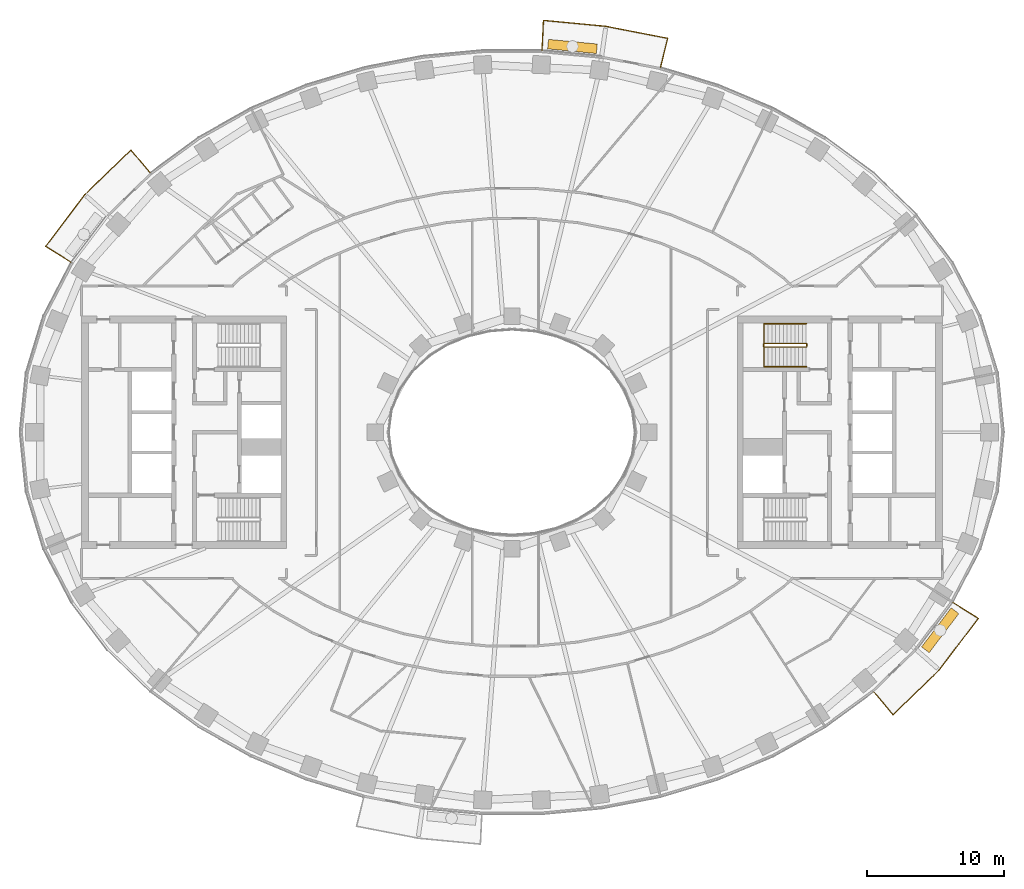
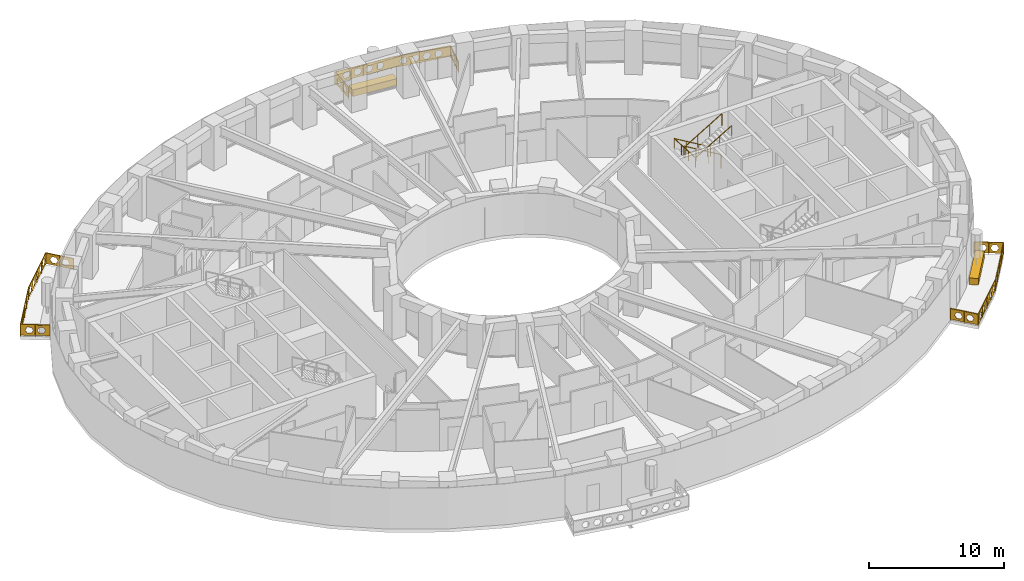
# One storey, part 16 of 17: 5 railings, 2 coverings.
"""IFC4 building model written with IfcOpenShell, lengths in metres."""

from ifc_helpers import new_model, si_unit, direction, frame, origin, origin_2d, place, context, subcontext, project, spatial, polyline, rectangle, outline, extrude, material, type_object, element, save


model = new_model("IFC4")

# Units and contexts
model_context = context("Model", 3, precision=1e-05, world=origin(), true_north=direction((0.0, 1.0)))
body_context = subcontext(model_context, "Body", "Model", "MODEL_VIEW")
ifc_project = project(units=[si_unit("LENGTHUNIT", "METRE"), si_unit("AREAUNIT", "SQUARE_METRE"), si_unit("VOLUMEUNIT", "CUBIC_METRE"), si_unit("PLANEANGLEUNIT", "RADIAN"), si_unit("MASSUNIT", "GRAM", prefix="KILO")], contexts=[model_context])

# Site, building, storey
site_placement = place(None, origin())
site = spatial("IfcSite", under=ifc_project, at=site_placement, CompositionType="ELEMENT")
building_placement = place(site_placement, origin())
building = spatial("IfcBuilding", under=site, at=building_placement, Name="Noorbagh Ring Tower", CompositionType="ELEMENT")
storey_placement = place(building_placement, frame((0.0, 0.0, 112.0)))
storey = spatial("IfcBuildingStorey", under=building, at=storey_placement, Name="L25", CompositionType="ELEMENT", Elevation=112.0)

# Railings
ifc_material_1 = material(Name="Stainless steel", Category="steel")
railing_type_1 = type_object("IfcRailingType", Name="CORE-STAIR-GUARD", PredefinedType="GUARDRAIL", material=ifc_material_1)
railing_1_placement = place(storey_placement, frame((21.580078125, 6.449951171875, 0.0)))
element("IfcRailing", 1, at=railing_1_placement, inside=storey, type_object=railing_type_1, Name="L25 ST3 stair guard", PredefinedType="GUARDRAIL", context=body_context, shape_type="SweptSolid", body=[
    extrude(rectangle(XDim=0.048095703125, YDim=0.048095703125, at=origin_2d()), frame((0.0, 0.0, 1.076171875), z_axis=(0.0, -1.0, 0.0), x_axis=(1.0, 0.0, 0.0)), (0.0, 0.0, 1.0), 0.14990234375),
    extrude(rectangle(XDim=0.048095703125, YDim=0.048095703125, at=origin_2d()), frame((0.0, -0.14990234375, 1.076171875), z_axis=(-0.188775798145, 0.754182335027, 0.628945707965), x_axis=(-0.970072785993, -0.242814311512, 0.0)), (0.0, 0.0, 1.0), 0.26513671875),
    extrude(rectangle(XDim=0.048095703125, YDim=0.048095703125, at=origin_2d()), frame((-0.050048828125, 0.050048828125, 1.24267578125), z_axis=(-0.859308565015, 0.0, 0.511457515432), x_axis=(0.0, -1.0, 0.0)), (0.0, 0.0, 1.0), 3.58447265625),
    extrude(rectangle(XDim=0.048095703125, YDim=0.048095703125, at=origin_2d()), frame((-3.130126953125, 0.050048828125, 3.076171875), z_axis=(-0.707106781187, -0.707106781187, 0.0), x_axis=(0.707106781187, -0.707106781187, 0.0)), (0.0, 0.0, 1.0), 0.07080078125),
    extrude(rectangle(XDim=0.048095703125, YDim=0.048095703125, at=origin_2d()), frame((-3.18017578125, 0.0, 3.076171875), z_axis=(0.0, -1.0, 0.0), x_axis=(1.0, 0.0, 0.0)), (0.0, 0.0, 1.0), 0.14990234375),
    extrude(rectangle(XDim=0.048095703125, YDim=0.048095703125, at=origin_2d()), frame((-3.18017578125, -0.14990234375, 3.076171875), z_axis=(0.27628659633, -0.27628659633, 0.920506074601), x_axis=(0.707106781187, 0.707106781187, 0.0)), (0.0, 0.0, 1.0), 0.18115234375),
    extrude(rectangle(XDim=0.048095703125, YDim=0.048095703125, at=origin_2d()), frame((-3.130126953125, -0.199951171875, 3.24267578125), z_axis=(0.859308565015, 0.0, 0.511457515432), x_axis=(0.0, 1.0, 0.0)), (0.0, 0.0, 1.0), 3.58447265625),
    extrude(rectangle(XDim=0.0419921875, YDim=0.0419921875, at=origin_2d()), origin(), (0.0, 0.0, 1.0), 1.052001953125),
    extrude(rectangle(XDim=0.0419921875, YDim=0.0419921875, at=origin_2d()), frame((-1.07666015625, 0.050048828125, 0.77783203125)), (0.0, 0.0, 1.0), 1.052001953125),
    extrude(rectangle(XDim=0.0419921875, YDim=0.0419921875, at=origin_2d()), frame((-2.103515625, 0.050048828125, 1.388916015625)), (0.0, 0.0, 1.0), 1.052001953125),
    extrude(rectangle(XDim=0.0419921875, YDim=0.0419921875, at=origin_2d()), frame((-3.130126953125, 0.050048828125, 2.0)), (0.0, 0.0, 1.0), 1.052001953125),
    extrude(rectangle(XDim=0.0419921875, YDim=0.0419921875, at=origin_2d()), frame((-3.130126953125, -0.199951171875, 2.166748046875)), (0.0, 0.0, 1.0), 1.052001953125),
    extrude(rectangle(XDim=0.0419921875, YDim=0.0419921875, at=origin_2d()), frame((-2.103515625, -0.199951171875, 2.77783203125)), (0.0, 0.0, 1.0), 1.052001953125),
    extrude(rectangle(XDim=0.0419921875, YDim=0.0419921875, at=origin_2d()), frame((-1.07666015625, -0.199951171875, 3.388916015625)), (0.0, 0.0, 1.0), 1.052001953125),
    extrude(rectangle(XDim=0.0419921875, YDim=0.0419921875, at=origin_2d()), frame((-0.050048828125, -0.199951171875, 4.0)), (0.0, 0.0, 1.0), 1.052001953125),
])
ifc_material_2 = material(Name="Stainless steel", Category="steel")
railing_type_2 = type_object("IfcRailingType", Name="CORE-STAIR-HANDRAIL", PredefinedType="HANDRAIL", material=ifc_material_2)
railing_2_placement = place(storey_placement, frame((21.530029296875, 7.949951171875, 0.166748046875)))
element("IfcRailing", 2, at=railing_2_placement, inside=storey, type_object=railing_type_2, Name="L25 ST3 stair handrail", PredefinedType="HANDRAIL", context=body_context, shape_type="SweptSolid", body=[
    extrude(rectangle(XDim=0.048095703125, YDim=0.048095703125, at=origin_2d()), frame((0.0, 0.0, 0.8759765625), z_axis=(-0.859308565015, 0.0, 0.511457515432), x_axis=(0.0, -1.0, 0.0)), (0.0, 0.0, 1.0), 3.58447265625),
    extrude(rectangle(XDim=0.048095703125, YDim=0.048095703125, at=origin_2d()), frame((-3.080078125, 0.0, 2.708984375), z_axis=(0.0, -0.998601747152, 0.052863509014), x_axis=(1.0, 0.0, 0.0)), (0.0, 0.0, 1.0), 3.154296875),
    extrude(rectangle(XDim=0.048095703125, YDim=0.048095703125, at=origin_2d()), frame((-3.080078125, -3.14990234375, 2.8759765625), z_axis=(0.859308565015, 0.0, 0.511457515432), x_axis=(0.0, 1.0, 0.0)), (0.0, 0.0, 1.0), 3.58447265625),
    extrude(rectangle(XDim=0.0419921875, YDim=0.0419921875, at=origin_2d()), origin(), (0.0, 0.0, 1.0), 0.851806640625),
    extrude(rectangle(XDim=0.0419921875, YDim=0.0419921875, at=origin_2d()), frame((-1.026611328125, 0.0, 0.611083984375)), (0.0, 0.0, 1.0), 0.851806640625),
    extrude(rectangle(XDim=0.0419921875, YDim=0.0419921875, at=origin_2d()), frame((-2.053466796875, 0.0, 1.22216796875)), (0.0, 0.0, 1.0), 0.851806640625),
    extrude(rectangle(XDim=0.0419921875, YDim=0.0419921875, at=origin_2d()), frame((-3.080078125, 0.0, 1.833251953125)), (0.0, 0.0, 1.0), 0.851806640625),
    extrude(rectangle(XDim=0.0419921875, YDim=0.0419921875, at=origin_2d()), frame((-3.080078125, -1.050048828125, 1.888916015625)), (0.0, 0.0, 1.0), 0.851806640625),
    extrude(rectangle(XDim=0.0419921875, YDim=0.0419921875, at=origin_2d()), frame((-3.080078125, -2.099853515625, 1.9443359375)), (0.0, 0.0, 1.0), 0.851806640625),
    extrude(rectangle(XDim=0.0419921875, YDim=0.0419921875, at=origin_2d()), frame((-3.080078125, -3.14990234375, 2.0)), (0.0, 0.0, 1.0), 0.851806640625),
    extrude(rectangle(XDim=0.0419921875, YDim=0.0419921875, at=origin_2d()), frame((-2.053466796875, -3.14990234375, 2.611083984375)), (0.0, 0.0, 1.0), 0.851806640625),
    extrude(rectangle(XDim=0.0419921875, YDim=0.0419921875, at=origin_2d()), frame((-1.026611328125, -3.14990234375, 3.22216796875)), (0.0, 0.0, 1.0), 0.851806640625),
    extrude(rectangle(XDim=0.0419921875, YDim=0.0419921875, at=origin_2d()), frame((0.0, -3.14990234375, 3.833251953125)), (0.0, 0.0, 1.0), 0.851806640625),
])
ifc_material_3 = material(Name="Steel S275 black powder-coated", Category="steel")
railing_type_3 = type_object("IfcRailingType", Name="ENV-GUARD", PredefinedType="GUARDRAIL", material=ifc_material_3)
railing_3_placement = place(storey_placement, frame((10.865234375, 26.6943359375, 0.0)))
element("IfcRailing", 3, at=railing_3_placement, inside=storey, type_object=railing_type_3, Name="Balcony guard BN03", PredefinedType="GUARDRAIL", context=body_context, shape_type="SweptSolid", body=[
    extrude(rectangle(XDim=0.048095703125, YDim=0.048095703125, at=origin_2d()), frame((0.0, 0.0, 1.076171875), z_axis=(0.239848558412, 0.970810315679, 0.0), x_axis=(-0.970810315679, 0.239848558412, 0.0)), (0.0, 0.0, 1.0), 2.20263671875),
    extrude(rectangle(XDim=0.048095703125, YDim=0.048095703125, at=origin_2d()), frame((0.5283203125, 2.138427734375, 1.076171875), z_axis=(-0.981625049064, 0.1908199755, 0.0), x_axis=(-0.1908199755, -0.981625049064, 0.0)), (0.0, 0.0, 1.0), 4.603271484375),
    extrude(rectangle(XDim=0.048095703125, YDim=0.048095703125, at=origin_2d()), frame((-3.990478515625, 3.016845703125, 1.076171875), z_axis=(-0.995477555764, 0.094997031379, 0.0), x_axis=(-0.094997031379, -0.995477555764, 0.0)), (0.0, 0.0, 1.0), 4.59765625),
    extrude(rectangle(XDim=0.048095703125, YDim=0.048095703125, at=origin_2d()), frame((-8.5673828125, 3.45361328125, 1.076171875), z_axis=(-0.047554616162, -0.998868639252, 0.0), x_axis=(0.998868639252, -0.047554616162, 0.0)), (0.0, 0.0, 1.0), 2.202392578125),
    extrude(rectangle(XDim=0.0419921875, YDim=0.0419921875, at=origin_2d()), origin(), (0.0, 0.0, 1.0), 1.052001953125),
    extrude(rectangle(XDim=0.0419921875, YDim=0.0419921875, at=origin_2d()), frame((0.26416015625, 1.0693359375, 0.0)), (0.0, 0.0, 1.0), 1.052001953125),
    extrude(rectangle(XDim=0.0419921875, YDim=0.0419921875, at=origin_2d()), frame((0.5283203125, 2.138427734375, 0.0)), (0.0, 0.0, 1.0), 1.052001953125),
    extrude(rectangle(XDim=0.0419921875, YDim=0.0419921875, at=origin_2d()), frame((-0.601318359375, 2.35791015625, 0.0)), (0.0, 0.0, 1.0), 1.052001953125),
    extrude(rectangle(XDim=0.0419921875, YDim=0.0419921875, at=origin_2d()), frame((-1.73095703125, 2.57763671875, 0.0)), (0.0, 0.0, 1.0), 1.052001953125),
    extrude(rectangle(XDim=0.0419921875, YDim=0.0419921875, at=origin_2d()), frame((-2.86083984375, 2.79736328125, 0.0)), (0.0, 0.0, 1.0), 1.052001953125),
    extrude(rectangle(XDim=0.0419921875, YDim=0.0419921875, at=origin_2d()), frame((-3.990478515625, 3.016845703125, 0.0)), (0.0, 0.0, 1.0), 1.052001953125),
    extrude(rectangle(XDim=0.0419921875, YDim=0.0419921875, at=origin_2d()), frame((-5.134765625, 3.1259765625, 0.0)), (0.0, 0.0, 1.0), 1.052001953125),
    extrude(rectangle(XDim=0.0419921875, YDim=0.0419921875, at=origin_2d()), frame((-6.27880859375, 3.2353515625, 0.0)), (0.0, 0.0, 1.0), 1.052001953125),
    extrude(rectangle(XDim=0.0419921875, YDim=0.0419921875, at=origin_2d()), frame((-7.423095703125, 3.344482421875, 0.0)), (0.0, 0.0, 1.0), 1.052001953125),
    extrude(rectangle(XDim=0.0419921875, YDim=0.0419921875, at=origin_2d()), frame((-8.5673828125, 3.45361328125, 0.0)), (0.0, 0.0, 1.0), 1.052001953125),
    extrude(rectangle(XDim=0.0419921875, YDim=0.0419921875, at=origin_2d()), frame((-8.61962890625, 2.353515625, 0.0)), (0.0, 0.0, 1.0), 1.052001953125),
    extrude(rectangle(XDim=0.0419921875, YDim=0.0419921875, at=origin_2d()), frame((-8.672119140625, 1.253662109375, 0.0)), (0.0, 0.0, 1.0), 1.052001953125),
    extrude(outline(polyline([(0.0, 0.10009765625), (2.20263671875, 0.10009765625), (2.20263671875, 1.031982421875), (0.0, 1.031982421875), (0.0, 0.10009765625)]), holes=[polyline([(0.96142578125, 0.56591796875), (0.806396484375, 0.83447265625), (0.496337890625, 0.83447265625), (0.34130859375, 0.56591796875), (0.496337890625, 0.297607421875), (0.806396484375, 0.297607421875), (0.96142578125, 0.56591796875)]), polyline([(1.861328125, 0.56591796875), (1.706298828125, 0.83447265625), (1.396240234375, 0.83447265625), (1.241455078125, 0.56591796875), (1.396240234375, 0.297607421875), (1.706298828125, 0.297607421875), (1.861328125, 0.56591796875)])]), frame((-0.009765625, 0.00244140625, 0.0), z_axis=(0.970810315679, -0.239848558412, 0.0), x_axis=(0.239848558412, 0.970810315679, 0.0)), (0.0, 0.0, 1.0), 0.02001953125),
    extrude(outline(polyline([(0.0, 0.10009765625), (4.603271484375, 0.10009765625), (4.603271484375, 1.031982421875), (0.0, 1.031982421875), (0.0, 0.10009765625)]), holes=[polyline([(1.26171875, 0.56591796875), (1.106689453125, 0.83447265625), (0.796630859375, 0.83447265625), (0.6416015625, 0.56591796875), (0.796630859375, 0.297607421875), (1.106689453125, 0.297607421875), (1.26171875, 0.56591796875)]), polyline([(2.16162109375, 0.56591796875), (2.006591796875, 0.83447265625), (1.69677734375, 0.83447265625), (1.541748046875, 0.56591796875), (1.69677734375, 0.297607421875), (2.006591796875, 0.297607421875), (2.16162109375, 0.56591796875)]), polyline([(3.061767578125, 0.56591796875), (2.90673828125, 0.83447265625), (2.5966796875, 0.83447265625), (2.441650390625, 0.56591796875), (2.5966796875, 0.297607421875), (2.90673828125, 0.297607421875), (3.061767578125, 0.56591796875)]), polyline([(3.961669921875, 0.56591796875), (3.806640625, 0.83447265625), (3.49658203125, 0.83447265625), (3.341796875, 0.56591796875), (3.49658203125, 0.297607421875), (3.806640625, 0.297607421875), (3.961669921875, 0.56591796875)])]), frame((0.5263671875, 2.128662109375, 0.0), z_axis=(0.1908199755, 0.981625049064, 0.0), x_axis=(-0.981625049064, 0.1908199755, 0.0)), (0.0, 0.0, 1.0), 0.02001953125),
    extrude(outline(polyline([(0.0, 0.10009765625), (4.59765625, 0.10009765625), (4.59765625, 1.031982421875), (0.0, 1.031982421875), (0.0, 0.10009765625)]), holes=[polyline([(1.2587890625, 0.56591796875), (1.103759765625, 0.83447265625), (0.7939453125, 0.83447265625), (0.638916015625, 0.56591796875), (0.7939453125, 0.297607421875), (1.103759765625, 0.297607421875), (1.2587890625, 0.56591796875)]), polyline([(2.158935546875, 0.56591796875), (2.00390625, 0.83447265625), (1.69384765625, 0.83447265625), (1.538818359375, 0.56591796875), (1.69384765625, 0.297607421875), (2.00390625, 0.297607421875), (2.158935546875, 0.56591796875)]), polyline([(3.058837890625, 0.56591796875), (2.90380859375, 0.83447265625), (2.59375, 0.83447265625), (2.43896484375, 0.56591796875), (2.59375, 0.297607421875), (2.90380859375, 0.297607421875), (3.058837890625, 0.56591796875)]), polyline([(3.958740234375, 0.56591796875), (3.803955078125, 0.83447265625), (3.493896484375, 0.83447265625), (3.3388671875, 0.56591796875), (3.493896484375, 0.297607421875), (3.803955078125, 0.297607421875), (3.958740234375, 0.56591796875)])]), frame((-3.991455078125, 3.0068359375, 0.0), z_axis=(0.094997031379, 0.995477555764, 0.0), x_axis=(-0.995477555764, 0.094997031379, 0.0)), (0.0, 0.0, 1.0), 0.02001953125),
    extrude(outline(polyline([(0.0, 0.10009765625), (2.202392578125, 0.10009765625), (2.202392578125, 1.031982421875), (0.0, 1.031982421875), (0.0, 0.10009765625)]), holes=[polyline([(0.961181640625, 0.56591796875), (0.80615234375, 0.83447265625), (0.496337890625, 0.83447265625), (0.34130859375, 0.56591796875), (0.496337890625, 0.297607421875), (0.80615234375, 0.297607421875), (0.961181640625, 0.56591796875)]), polyline([(1.861328125, 0.56591796875), (1.706298828125, 0.83447265625), (1.396240234375, 0.83447265625), (1.2412109375, 0.56591796875), (1.396240234375, 0.297607421875), (1.706298828125, 0.297607421875), (1.861328125, 0.56591796875)])]), frame((-8.557373046875, 3.453125, 0.0), z_axis=(-0.998868639252, 0.047554616162, 0.0), x_axis=(-0.047554616162, -0.998868639252, 0.0)), (0.0, 0.0, 1.0), 0.02001953125),
])
railing_4_placement = place(storey_placement, frame((-26.463134765625, 18.983154296875, 0.0)))
element("IfcRailing", 4, at=railing_4_placement, inside=storey, type_object=railing_type_3, Name="Balcony guard BN06", PredefinedType="GUARDRAIL", context=body_context, shape_type="SweptSolid", body=[
    extrude(rectangle(XDim=0.048095703125, YDim=0.048095703125, at=origin_2d()), frame((0.0, 0.0, 1.076171875), z_axis=(-0.646413574048, 0.762987215677, 0.0), x_axis=(-0.762987215677, -0.646413574048, 0.0)), (0.0, 0.0, 1.0), 2.205322265625),
    extrude(rectangle(XDim=0.048095703125, YDim=0.048095703125, at=origin_2d()), frame((-1.425537109375, 1.6826171875, 1.076171875), z_axis=(-0.717212632946, -0.696854388766, 0.0), x_axis=(0.696854388766, -0.717212632946, 0.0)), (0.0, 0.0, 1.0), 4.700927734375),
    extrude(rectangle(XDim=0.048095703125, YDim=0.048095703125, at=origin_2d()), frame((-4.797119140625, -1.59326171875, 1.076171875), z_axis=(-0.604001613322, -0.796983093362, 0.0), x_axis=(0.796983093362, -0.604001613322, 0.0)), (0.0, 0.0, 1.0), 4.7353515625),
    extrude(rectangle(XDim=0.048095703125, YDim=0.048095703125, at=origin_2d()), frame((-7.6572265625, -5.3671875, 1.076171875), z_axis=(0.844852397829, -0.534999463442, 0.0), x_axis=(0.534999463442, 0.844852397829, 0.0)), (0.0, 0.0, 1.0), 2.207763671875),
    extrude(rectangle(XDim=0.0419921875, YDim=0.0419921875, at=origin_2d()), origin(), (0.0, 0.0, 1.0), 1.052001953125),
    extrude(rectangle(XDim=0.0419921875, YDim=0.0419921875, at=origin_2d()), frame((-0.712890625, 0.84130859375, 0.0)), (0.0, 0.0, 1.0), 1.052001953125),
    extrude(rectangle(XDim=0.0419921875, YDim=0.0419921875, at=origin_2d()), frame((-1.425537109375, 1.6826171875, 0.0)), (0.0, 0.0, 1.0), 1.052001953125),
    extrude(rectangle(XDim=0.0419921875, YDim=0.0419921875, at=origin_2d()), frame((-2.2685546875, 0.86376953125, 0.0)), (0.0, 0.0, 1.0), 1.052001953125),
    extrude(rectangle(XDim=0.0419921875, YDim=0.0419921875, at=origin_2d()), frame((-3.111328125, 0.044677734375, 0.0)), (0.0, 0.0, 1.0), 1.052001953125),
    extrude(rectangle(XDim=0.0419921875, YDim=0.0419921875, at=origin_2d()), frame((-3.9541015625, -0.7744140625, 0.0)), (0.0, 0.0, 1.0), 1.052001953125),
    extrude(rectangle(XDim=0.0419921875, YDim=0.0419921875, at=origin_2d()), frame((-4.797119140625, -1.59326171875, 0.0)), (0.0, 0.0, 1.0), 1.052001953125),
    extrude(rectangle(XDim=0.0419921875, YDim=0.0419921875, at=origin_2d()), frame((-5.51220703125, -2.53662109375, 0.0)), (0.0, 0.0, 1.0), 1.052001953125),
    extrude(rectangle(XDim=0.0419921875, YDim=0.0419921875, at=origin_2d()), frame((-6.22705078125, -3.480224609375, 0.0)), (0.0, 0.0, 1.0), 1.052001953125),
    extrude(rectangle(XDim=0.0419921875, YDim=0.0419921875, at=origin_2d()), frame((-6.942138671875, -4.423828125, 0.0)), (0.0, 0.0, 1.0), 1.052001953125),
    extrude(rectangle(XDim=0.0419921875, YDim=0.0419921875, at=origin_2d()), frame((-7.6572265625, -5.3671875, 0.0)), (0.0, 0.0, 1.0), 1.052001953125),
    extrude(rectangle(XDim=0.0419921875, YDim=0.0419921875, at=origin_2d()), frame((-6.724609375, -5.957763671875, 0.0)), (0.0, 0.0, 1.0), 1.052001953125),
    extrude(rectangle(XDim=0.0419921875, YDim=0.0419921875, at=origin_2d()), frame((-5.7919921875, -6.54833984375, 0.0)), (0.0, 0.0, 1.0), 1.052001953125),
    extrude(outline(polyline([(0.0, 0.10009765625), (2.205322265625, 0.10009765625), (2.205322265625, 1.031982421875), (0.0, 1.031982421875), (0.0, 0.10009765625)]), holes=[polyline([(0.962646484375, 0.56591796875), (0.8076171875, 0.83447265625), (0.49755859375, 0.83447265625), (0.342529296875, 0.56591796875), (0.49755859375, 0.297607421875), (0.8076171875, 0.297607421875), (0.962646484375, 0.56591796875)]), polyline([(1.862548828125, 0.56591796875), (1.707763671875, 0.83447265625), (1.397705078125, 0.83447265625), (1.24267578125, 0.56591796875), (1.397705078125, 0.297607421875), (1.707763671875, 0.297607421875), (1.862548828125, 0.56591796875)])]), frame((-0.007568359375, -0.00634765625, 0.0), z_axis=(0.762987215677, 0.646413574048, 0.0), x_axis=(-0.646413574048, 0.762987215677, 0.0)), (0.0, 0.0, 1.0), 0.02001953125),
    extrude(outline(polyline([(0.0, 0.10009765625), (4.700927734375, 0.10009765625), (4.700927734375, 1.031982421875), (0.0, 1.031982421875), (0.0, 0.10009765625)]), holes=[polyline([(0.860595703125, 0.56591796875), (0.70556640625, 0.83447265625), (0.3955078125, 0.83447265625), (0.240478515625, 0.56591796875), (0.3955078125, 0.297607421875), (0.70556640625, 0.297607421875), (0.860595703125, 0.56591796875)]), polyline([(1.760498046875, 0.56591796875), (1.60546875, 0.83447265625), (1.29541015625, 0.83447265625), (1.140380859375, 0.56591796875), (1.29541015625, 0.297607421875), (1.60546875, 0.297607421875), (1.760498046875, 0.56591796875)]), polyline([(2.660400390625, 0.56591796875), (2.50537109375, 0.83447265625), (2.195556640625, 0.83447265625), (2.04052734375, 0.56591796875), (2.195556640625, 0.297607421875), (2.50537109375, 0.297607421875), (2.660400390625, 0.56591796875)]), polyline([(3.560546875, 0.56591796875), (3.405517578125, 0.83447265625), (3.095458984375, 0.83447265625), (2.9404296875, 0.56591796875), (3.095458984375, 0.297607421875), (3.405517578125, 0.297607421875), (3.560546875, 0.56591796875)]), polyline([(4.46044921875, 0.56591796875), (4.305419921875, 0.83447265625), (3.995361328125, 0.83447265625), (3.840576171875, 0.56591796875), (3.995361328125, 0.297607421875), (4.305419921875, 0.297607421875), (4.46044921875, 0.56591796875)])]), frame((-1.41845703125, 1.675537109375, 0.0), z_axis=(-0.696854388766, 0.717212632946, 0.0), x_axis=(-0.717212632946, -0.696854388766, 0.0)), (0.0, 0.0, 1.0), 0.02001953125),
    extrude(outline(polyline([(0.0, 0.10009765625), (4.7353515625, 0.10009765625), (4.7353515625, 1.031982421875), (0.0, 1.031982421875), (0.0, 0.10009765625)]), holes=[polyline([(0.877685546875, 0.56591796875), (0.72265625, 0.83447265625), (0.41259765625, 0.83447265625), (0.257568359375, 0.56591796875), (0.41259765625, 0.297607421875), (0.72265625, 0.297607421875), (0.877685546875, 0.56591796875)]), polyline([(1.777587890625, 0.56591796875), (1.62255859375, 0.83447265625), (1.312744140625, 0.83447265625), (1.15771484375, 0.56591796875), (1.312744140625, 0.297607421875), (1.62255859375, 0.297607421875), (1.777587890625, 0.56591796875)]), polyline([(2.677734375, 0.56591796875), (2.522705078125, 0.83447265625), (2.212646484375, 0.83447265625), (2.0576171875, 0.56591796875), (2.212646484375, 0.297607421875), (2.522705078125, 0.297607421875), (2.677734375, 0.56591796875)]), polyline([(3.57763671875, 0.56591796875), (3.422607421875, 0.83447265625), (3.112548828125, 0.83447265625), (2.95751953125, 0.56591796875), (3.112548828125, 0.297607421875), (3.422607421875, 0.297607421875), (3.57763671875, 0.56591796875)]), polyline([(4.4775390625, 0.56591796875), (4.32275390625, 0.83447265625), (4.0126953125, 0.83447265625), (3.857666015625, 0.56591796875), (4.0126953125, 0.297607421875), (4.32275390625, 0.297607421875), (4.4775390625, 0.56591796875)])]), frame((-4.7890625, -1.599365234375, 0.0), z_axis=(-0.796983093362, 0.604001613322, 0.0), x_axis=(-0.604001613322, -0.796983093362, 0.0)), (0.0, 0.0, 1.0), 0.02001953125),
    extrude(outline(polyline([(0.0, 0.10009765625), (2.207763671875, 0.10009765625), (2.207763671875, 1.031982421875), (0.0, 1.031982421875), (0.0, 0.10009765625)]), holes=[polyline([(0.9638671875, 0.56591796875), (0.808837890625, 0.83447265625), (0.498779296875, 0.83447265625), (0.343994140625, 0.56591796875), (0.498779296875, 0.297607421875), (0.808837890625, 0.297607421875), (0.9638671875, 0.56591796875)]), polyline([(1.86376953125, 0.56591796875), (1.708984375, 0.83447265625), (1.39892578125, 0.83447265625), (1.243896484375, 0.56591796875), (1.39892578125, 0.297607421875), (1.708984375, 0.297607421875), (1.86376953125, 0.56591796875)])]), frame((-7.65185546875, -5.358642578125, 0.0), z_axis=(-0.534999463442, -0.844852397829, 0.0), x_axis=(0.844852397829, -0.534999463442, 0.0)), (0.0, 0.0, 1.0), 0.02001953125),
])
railing_5_placement = place(storey_placement, frame((26.463134765625, -18.983154296875, 0.0)))
element("IfcRailing", 5, at=railing_5_placement, inside=storey, type_object=railing_type_3, Name="Balcony guard BS06", PredefinedType="GUARDRAIL", context=body_context, shape_type="SweptSolid", body=[
    extrude(rectangle(XDim=0.048095703125, YDim=0.048095703125, at=origin_2d()), frame((0.0, 0.0, 1.076171875), z_axis=(0.646413574048, -0.762987215677, 0.0), x_axis=(0.762987215677, 0.646413574048, 0.0)), (0.0, 0.0, 1.0), 2.205322265625),
    extrude(rectangle(XDim=0.048095703125, YDim=0.048095703125, at=origin_2d()), frame((1.425537109375, -1.6826171875, 1.076171875), z_axis=(0.717212632946, 0.696854388766, 0.0), x_axis=(-0.696854388766, 0.717212632946, 0.0)), (0.0, 0.0, 1.0), 4.700927734375),
    extrude(rectangle(XDim=0.048095703125, YDim=0.048095703125, at=origin_2d()), frame((4.797119140625, 1.59326171875, 1.076171875), z_axis=(0.604001613322, 0.796983093362, 0.0), x_axis=(-0.796983093362, 0.604001613322, 0.0)), (0.0, 0.0, 1.0), 4.7353515625),
    extrude(rectangle(XDim=0.048095703125, YDim=0.048095703125, at=origin_2d()), frame((7.6572265625, 5.3671875, 1.076171875), z_axis=(-0.844852397829, 0.534999463442, 0.0), x_axis=(-0.534999463442, -0.844852397829, 0.0)), (0.0, 0.0, 1.0), 2.207763671875),
    extrude(rectangle(XDim=0.0419921875, YDim=0.0419921875, at=origin_2d()), origin(), (0.0, 0.0, 1.0), 1.052001953125),
    extrude(rectangle(XDim=0.0419921875, YDim=0.0419921875, at=origin_2d()), frame((0.712890625, -0.84130859375, 0.0)), (0.0, 0.0, 1.0), 1.052001953125),
    extrude(rectangle(XDim=0.0419921875, YDim=0.0419921875, at=origin_2d()), frame((1.425537109375, -1.6826171875, 0.0)), (0.0, 0.0, 1.0), 1.052001953125),
    extrude(rectangle(XDim=0.0419921875, YDim=0.0419921875, at=origin_2d()), frame((2.2685546875, -0.86376953125, 0.0)), (0.0, 0.0, 1.0), 1.052001953125),
    extrude(rectangle(XDim=0.0419921875, YDim=0.0419921875, at=origin_2d()), frame((3.111328125, -0.044677734375, 0.0)), (0.0, 0.0, 1.0), 1.052001953125),
    extrude(rectangle(XDim=0.0419921875, YDim=0.0419921875, at=origin_2d()), frame((3.9541015625, 0.7744140625, 0.0)), (0.0, 0.0, 1.0), 1.052001953125),
    extrude(rectangle(XDim=0.0419921875, YDim=0.0419921875, at=origin_2d()), frame((4.797119140625, 1.59326171875, 0.0)), (0.0, 0.0, 1.0), 1.052001953125),
    extrude(rectangle(XDim=0.0419921875, YDim=0.0419921875, at=origin_2d()), frame((5.51220703125, 2.53662109375, 0.0)), (0.0, 0.0, 1.0), 1.052001953125),
    extrude(rectangle(XDim=0.0419921875, YDim=0.0419921875, at=origin_2d()), frame((6.22705078125, 3.480224609375, 0.0)), (0.0, 0.0, 1.0), 1.052001953125),
    extrude(rectangle(XDim=0.0419921875, YDim=0.0419921875, at=origin_2d()), frame((6.942138671875, 4.423828125, 0.0)), (0.0, 0.0, 1.0), 1.052001953125),
    extrude(rectangle(XDim=0.0419921875, YDim=0.0419921875, at=origin_2d()), frame((7.6572265625, 5.3671875, 0.0)), (0.0, 0.0, 1.0), 1.052001953125),
    extrude(rectangle(XDim=0.0419921875, YDim=0.0419921875, at=origin_2d()), frame((6.724609375, 5.957763671875, 0.0)), (0.0, 0.0, 1.0), 1.052001953125),
    extrude(rectangle(XDim=0.0419921875, YDim=0.0419921875, at=origin_2d()), frame((5.7919921875, 6.54833984375, 0.0)), (0.0, 0.0, 1.0), 1.052001953125),
    extrude(outline(polyline([(0.0, 0.10009765625), (2.205322265625, 0.10009765625), (2.205322265625, 1.031982421875), (0.0, 1.031982421875), (0.0, 0.10009765625)]), holes=[polyline([(0.962646484375, 0.56591796875), (0.8076171875, 0.83447265625), (0.49755859375, 0.83447265625), (0.342529296875, 0.56591796875), (0.49755859375, 0.297607421875), (0.8076171875, 0.297607421875), (0.962646484375, 0.56591796875)]), polyline([(1.862548828125, 0.56591796875), (1.707763671875, 0.83447265625), (1.397705078125, 0.83447265625), (1.24267578125, 0.56591796875), (1.397705078125, 0.297607421875), (1.707763671875, 0.297607421875), (1.862548828125, 0.56591796875)])]), frame((0.007568359375, 0.00634765625, 0.0), z_axis=(-0.762987215677, -0.646413574048, 0.0), x_axis=(0.646413574048, -0.762987215677, 0.0)), (0.0, 0.0, 1.0), 0.02001953125),
    extrude(outline(polyline([(0.0, 0.10009765625), (4.700927734375, 0.10009765625), (4.700927734375, 1.031982421875), (0.0, 1.031982421875), (0.0, 0.10009765625)]), holes=[polyline([(0.860595703125, 0.56591796875), (0.70556640625, 0.83447265625), (0.3955078125, 0.83447265625), (0.240478515625, 0.56591796875), (0.3955078125, 0.297607421875), (0.70556640625, 0.297607421875), (0.860595703125, 0.56591796875)]), polyline([(1.760498046875, 0.56591796875), (1.60546875, 0.83447265625), (1.29541015625, 0.83447265625), (1.140380859375, 0.56591796875), (1.29541015625, 0.297607421875), (1.60546875, 0.297607421875), (1.760498046875, 0.56591796875)]), polyline([(2.660400390625, 0.56591796875), (2.50537109375, 0.83447265625), (2.195556640625, 0.83447265625), (2.04052734375, 0.56591796875), (2.195556640625, 0.297607421875), (2.50537109375, 0.297607421875), (2.660400390625, 0.56591796875)]), polyline([(3.560546875, 0.56591796875), (3.405517578125, 0.83447265625), (3.095458984375, 0.83447265625), (2.9404296875, 0.56591796875), (3.095458984375, 0.297607421875), (3.405517578125, 0.297607421875), (3.560546875, 0.56591796875)]), polyline([(4.46044921875, 0.56591796875), (4.305419921875, 0.83447265625), (3.995361328125, 0.83447265625), (3.840576171875, 0.56591796875), (3.995361328125, 0.297607421875), (4.305419921875, 0.297607421875), (4.46044921875, 0.56591796875)])]), frame((1.41845703125, -1.675537109375, 0.0), z_axis=(0.696854388766, -0.717212632946, 0.0), x_axis=(0.717212632946, 0.696854388766, 0.0)), (0.0, 0.0, 1.0), 0.02001953125),
    extrude(outline(polyline([(0.0, 0.10009765625), (4.7353515625, 0.10009765625), (4.7353515625, 1.031982421875), (0.0, 1.031982421875), (0.0, 0.10009765625)]), holes=[polyline([(0.877685546875, 0.56591796875), (0.72265625, 0.83447265625), (0.41259765625, 0.83447265625), (0.257568359375, 0.56591796875), (0.41259765625, 0.297607421875), (0.72265625, 0.297607421875), (0.877685546875, 0.56591796875)]), polyline([(1.777587890625, 0.56591796875), (1.62255859375, 0.83447265625), (1.312744140625, 0.83447265625), (1.15771484375, 0.56591796875), (1.312744140625, 0.297607421875), (1.62255859375, 0.297607421875), (1.777587890625, 0.56591796875)]), polyline([(2.677734375, 0.56591796875), (2.522705078125, 0.83447265625), (2.212646484375, 0.83447265625), (2.0576171875, 0.56591796875), (2.212646484375, 0.297607421875), (2.522705078125, 0.297607421875), (2.677734375, 0.56591796875)]), polyline([(3.57763671875, 0.56591796875), (3.422607421875, 0.83447265625), (3.112548828125, 0.83447265625), (2.95751953125, 0.56591796875), (3.112548828125, 0.297607421875), (3.422607421875, 0.297607421875), (3.57763671875, 0.56591796875)]), polyline([(4.4775390625, 0.56591796875), (4.32275390625, 0.83447265625), (4.0126953125, 0.83447265625), (3.857666015625, 0.56591796875), (4.0126953125, 0.297607421875), (4.32275390625, 0.297607421875), (4.4775390625, 0.56591796875)])]), frame((4.7890625, 1.599365234375, 0.0), z_axis=(0.796983093362, -0.604001613322, 0.0), x_axis=(0.604001613322, 0.796983093362, 0.0)), (0.0, 0.0, 1.0), 0.02001953125),
    extrude(outline(polyline([(0.0, 0.10009765625), (2.207763671875, 0.10009765625), (2.207763671875, 1.031982421875), (0.0, 1.031982421875), (0.0, 0.10009765625)]), holes=[polyline([(0.9638671875, 0.56591796875), (0.808837890625, 0.83447265625), (0.498779296875, 0.83447265625), (0.343994140625, 0.56591796875), (0.498779296875, 0.297607421875), (0.808837890625, 0.297607421875), (0.9638671875, 0.56591796875)]), polyline([(1.86376953125, 0.56591796875), (1.708984375, 0.83447265625), (1.39892578125, 0.83447265625), (1.243896484375, 0.56591796875), (1.39892578125, 0.297607421875), (1.708984375, 0.297607421875), (1.86376953125, 0.56591796875)])]), frame((7.65185546875, 5.358642578125, 0.0), z_axis=(0.534999463442, 0.844852397829, 0.0), x_axis=(-0.844852397829, 0.534999463442, 0.0)), (0.0, 0.0, 1.0), 0.02001953125),
])

# Coverings
ifc_material_4 = material(Name="Concrete C30/37 planter with soil", Category="concrete")
covering_type = type_object("IfcCoveringType", Name="ENV-PLANTER", PredefinedType="CLADDING", material=ifc_material_4)
covering_1_placement = place(storey_placement, frame((4.423828125, 28.2373046875, 0.0), z_axis=(0.0, 0.0, 1.0), x_axis=(-0.995476497323, 0.095008122171, 0.0)))
element("IfcCovering", 6, at=covering_1_placement, inside=storey, type_object=covering_type, Name="PLANTER BN03", ObjectType="PLANTER", PredefinedType="CLADDING", context=body_context, shape_type="SweptSolid", body=[
    extrude(rectangle(XDim=3.58642578125, YDim=0.699951171875, at=origin_2d()), origin(), (0.0, 0.0, 1.0), 0.60009765625),
])
covering_2_placement = place(storey_placement, frame((31.329833984375, -14.4833984375, 0.0), z_axis=(0.0, 0.0, 1.0), x_axis=(0.604020184358, 0.796969018776, 0.0)))
element("IfcCovering", 7, at=covering_2_placement, inside=storey, type_object=covering_type, Name="PLANTER BS06", ObjectType="PLANTER", PredefinedType="CLADDING", context=body_context, shape_type="SweptSolid", body=[
    extrude(rectangle(XDim=3.583251953125, YDim=0.699951171875, at=origin_2d()), origin(), (0.0, 0.0, 1.0), 0.60009765625),
])

save(model, "model.ifc")
